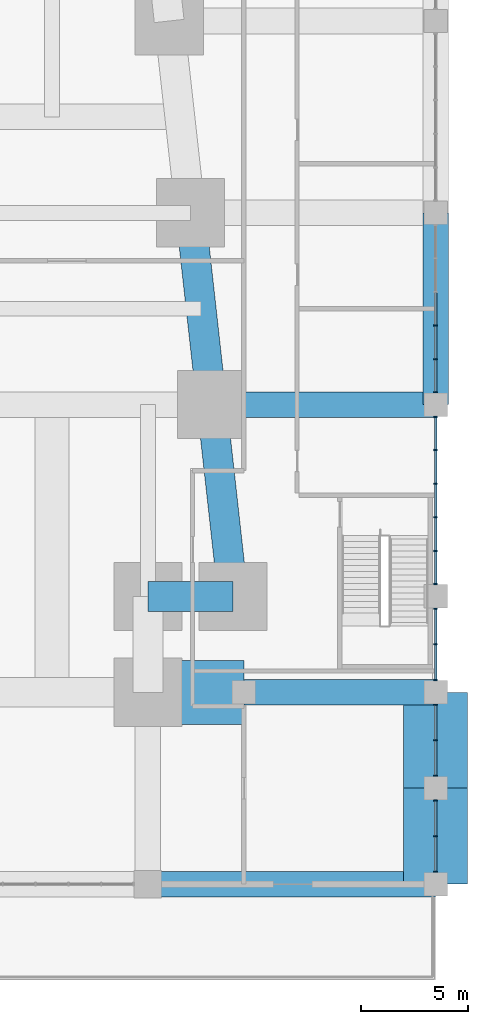
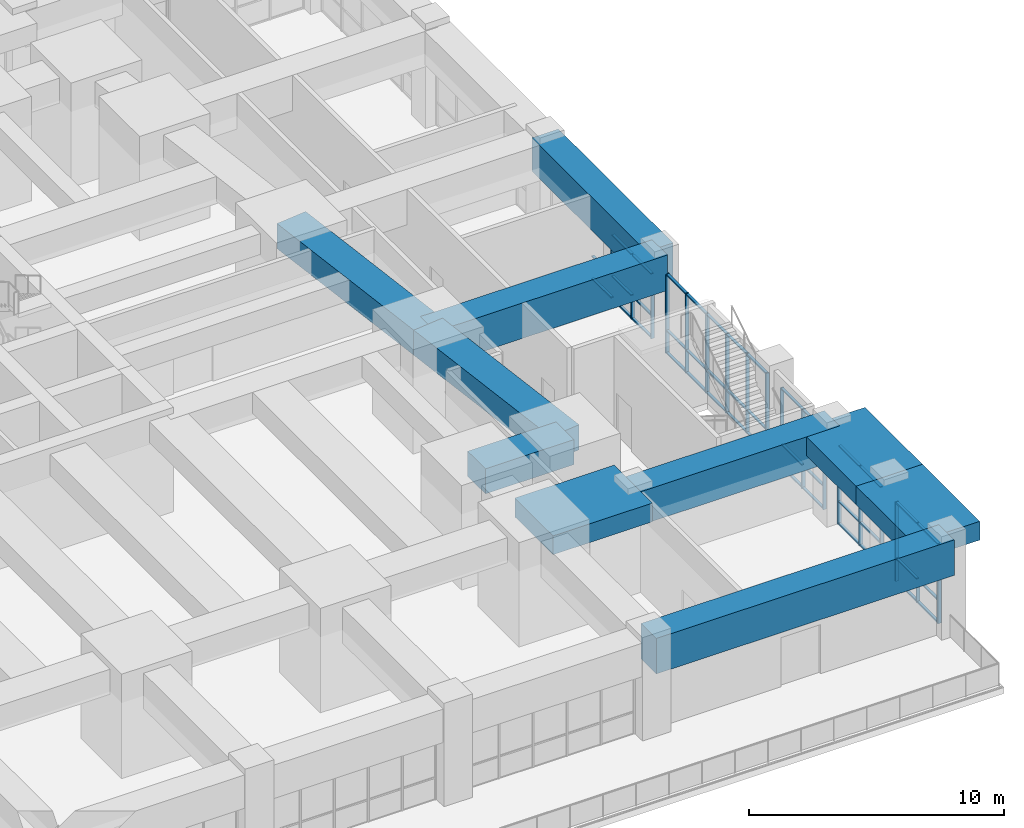
# One storey, part 14 of 27: 59 members, 10 beams, 5 elements without a shape of their own.
"""IFC4 building model written with IfcOpenShell, lengths in metres."""

from ifc_helpers import new_model, si_unit, direction, frame, origin, origin_2d, place, context, subcontext, project, spatial, rectangle, extrude, material, material_profile, profile_set, type_object, element, aggregate, save


model = new_model("IFC4")

# Units and contexts
model_context = context("Model", 3, precision=1e-05, world=origin(), true_north=direction((0.0, 1.0)))
body_context = subcontext(model_context, "Body", "Model", "MODEL_VIEW")
ifc_project = project(units=[si_unit("LENGTHUNIT", "METRE"), si_unit("AREAUNIT", "SQUARE_METRE"), si_unit("VOLUMEUNIT", "CUBIC_METRE"), si_unit("PLANEANGLEUNIT", "RADIAN"), si_unit("MASSUNIT", "GRAM", prefix="KILO")], contexts=[model_context])

# Site, building, storey
site_placement = place(None, origin())
site = spatial("IfcSite", under=ifc_project, at=site_placement, CompositionType="ELEMENT")
building_placement = place(site_placement, origin())
building = spatial("IfcBuilding", under=site, at=building_placement, Name="Kilele Tower Hotel", CompositionType="ELEMENT")
storey_placement = place(building_placement, frame((0.0, 0.0, 6.0)))
storey = spatial("IfcBuildingStorey", under=building, at=storey_placement, Name="L01", CompositionType="ELEMENT", Elevation=6.0)

# Beams
ifc_material_1 = material(Name="Concrete C60/75", Category="concrete")
ifc_material_profile_1 = material_profile(ifc_material_1, rectangle(XDim=1.199951171875, YDim=1.60009765625, at=origin_2d()))
ifc_profile_set_1 = profile_set([ifc_material_profile_1], Name="Concrete C60/75")
beam_type_1 = type_object("IfcBeamType", Name="Beam RC 1200x1600 C60/75", PredefinedType="BEAM", material=ifc_profile_set_1)
for number, where, z_axis, x_axis, name in (
    (1, (58.5, 13.5, 3.89990234375), (0.0, 1.0, 0.0), (-1.0, 0.0, 0.0), "Beam PB2 level L02"),
    (2, (49.5, 0.0, 3.89990234375), (1.0, 0.0, 0.0), (0.0, 1.0, 0.0), "Beam PB2 level L02"),
):
    element("IfcBeam", number, at=place(storey_placement, frame(where, z_axis=z_axis, x_axis=x_axis)), inside=storey, type_object=beam_type_1, Name=name, PredefinedType="BEAM", context=body_context, shape_type="SweptSolid", body=[
        extrude(rectangle(XDim=1.199951171875, YDim=1.60009765625, at=origin_2d()), origin(), (0.0, 0.0, 1.0), 9.0),
    ])
ifc_material_2 = material(Name="Concrete C60/75", Category="concrete")
ifc_material_profile_2 = material_profile(ifc_material_2, rectangle(XDim=1.199951171875, YDim=1.699951171875, at=origin_2d()))
ifc_profile_set_2 = profile_set([ifc_material_profile_2], Name="Concrete C60/75")
beam_type_2 = type_object("IfcBeamType", Name="Beam RC 1200x1700 C60/75", PredefinedType="BEAM", material=ifc_profile_set_2)
beam_1_placement = place(storey_placement, frame((45.0, -9.0, 3.85009765625), z_axis=(1.0, 0.0, 0.0), x_axis=(0.0, 1.0, 0.0)))
element("IfcBeam", 3, at=beam_1_placement, inside=storey, type_object=beam_type_2, Name="Beam PB3 level L02", PredefinedType="BEAM", context=body_context, shape_type="SweptSolid", body=[
    extrude(rectangle(XDim=1.199951171875, YDim=1.699951171875, at=origin_2d()), origin(), (0.0, 0.0, 1.0), 13.5),
])
ifc_material_3 = material(Name="Concrete C60/75", Category="concrete")
ifc_material_profile_3 = material_profile(ifc_material_3, rectangle(XDim=1.199951171875, YDim=1.699951171875, at=origin_2d()))
ifc_profile_set_3 = profile_set([ifc_material_profile_3], Name="Concrete C60/75")
beam_type_3 = type_object("IfcBeamType", Name="Beam RC 1200x1700 C60/75 mid span", PredefinedType="BEAM", material=ifc_profile_set_3)
beam_2_placement = place(storey_placement, frame((48.0, 13.5, 3.85009765625), z_axis=(1.0, 0.0, 0.0), x_axis=(0.0, 1.0, 0.0)))
element("IfcBeam", 4, at=beam_2_placement, inside=storey, type_object=beam_type_3, Name="Beam PB4 level L02", PredefinedType="BEAM", context=body_context, shape_type="SweptSolid", body=[
    extrude(rectangle(XDim=1.199951171875, YDim=1.699951171875, at=origin_2d()), origin(), (0.0, 0.0, 1.0), 10.5),
])
ifc_material_4 = material(Name="Concrete C60/75", Category="concrete")
ifc_material_profile_4 = material_profile(ifc_material_4, rectangle(XDim=3.0, YDim=0.89990234375, at=origin_2d()))
ifc_profile_set_4 = profile_set([ifc_material_profile_4], Name="Concrete C60/75")
beam_type_4 = type_object("IfcBeamType", Name="Beam RC 3000x900 C60/75", PredefinedType="BEAM", material=ifc_profile_set_4)
for number, where, z_axis, x_axis, name in (
    (5, (45.0, 0.0, 4.25), (1.0, 0.0, 0.0), (0.0, 1.0, 0.0), "Beam PB1 level L02"),
    (6, (58.5, -4.5, 4.25), (0.0, 1.0, 0.0), (-1.0, 0.0, 0.0), "Beam PB1 level L02"),
    (7, (58.5, -9.0, 4.25), (0.0, 1.0, 0.0), (-1.0, 0.0, 0.0), "Beam PB1 level L02"),
):
    element("IfcBeam", number, at=place(storey_placement, frame(where, z_axis=z_axis, x_axis=x_axis)), inside=storey, type_object=beam_type_4, Name=name, PredefinedType="BEAM", context=body_context, shape_type="SweptSolid", body=[
        extrude(rectangle(XDim=3.0, YDim=0.89990234375, at=origin_2d()), origin(), (0.0, 0.0, 1.0), 4.5),
    ])

# Curtain wall, members
ifc_material_5 = material(Name="Aluminium curtain wall, clear double glazing", Category="aluminium")
curtain_wall_type = type_object("IfcCurtainWallType", Name="Podium side curtain wall CW-2", PredefinedType="NOTDEFINED", material=ifc_material_5)
curtain_wall_1_placement = place(storey_placement, origin())
curtain_wall_1 = element("IfcCurtainWall", 8, at=curtain_wall_1_placement, inside=storey, type_object=curtain_wall_type, Name="Podium side curtain wall CW-2 L01", PredefinedType="NOTDEFINED")
ifc_material_6 = material(Name="Aluminium EN AW-6063 T6", Category="aluminium")
ifc_material_profile_5 = material_profile(ifc_material_6, rectangle(XDim=0.159912109375, YDim=0.06005859375, at=origin_2d()))
ifc_profile_set_5 = profile_set([ifc_material_profile_5], Name="Aluminium EN AW-6063 T6")
member_type_1 = type_object("IfcMemberType", Name="Mullion 60x160 CW-2", PredefinedType="MULLION", material=ifc_profile_set_5)
member_1_placement = place(storey_placement, frame((58.5, -8.419921875, 0.0), z_axis=(0.0, 0.0, 1.0), x_axis=(-1.0, 0.0, 0.0)))
member_1 = element("IfcMember", 9, at=member_1_placement, type_object=member_type_1, Name="CW-2 mullion 1", PredefinedType="MULLION", context=body_context, shape_type="SweptSolid", body=[
    extrude(rectangle(XDim=0.159912109375, YDim=0.06005859375, at=origin_2d()), origin(), (0.0, 0.0, 1.0), 3.800048828125),
])
member_2_placement = place(storey_placement, frame((58.5, -6.75, 0.0), z_axis=(0.0, 0.0, 1.0), x_axis=(-1.0, 0.0, 0.0)))
member_2 = element("IfcMember", 10, at=member_2_placement, type_object=member_type_1, Name="CW-2 mullion 2", PredefinedType="MULLION", context=body_context, shape_type="SweptSolid", body=[
    extrude(rectangle(XDim=0.159912109375, YDim=0.06005859375, at=origin_2d()), origin(), (0.0, 0.0, 1.0), 3.800048828125),
])
member_3_placement = place(storey_placement, frame((58.5, -5.080078125, 0.0), z_axis=(0.0, 0.0, 1.0), x_axis=(-1.0, 0.0, 0.0)))
member_3 = element("IfcMember", 11, at=member_3_placement, type_object=member_type_1, Name="CW-2 mullion 3", PredefinedType="MULLION", context=body_context, shape_type="SweptSolid", body=[
    extrude(rectangle(XDim=0.159912109375, YDim=0.06005859375, at=origin_2d()), origin(), (0.0, 0.0, 1.0), 3.800048828125),
])

curtain_wall_2_placement = place(storey_placement, origin())
curtain_wall_2 = element("IfcCurtainWall", 12, at=curtain_wall_2_placement, inside=storey, type_object=curtain_wall_type, Name="Podium side curtain wall CW-2 L01", PredefinedType="NOTDEFINED")
member_4_placement = place(storey_placement, frame((58.5, -3.919921875, 0.0), z_axis=(0.0, 0.0, 1.0), x_axis=(-1.0, 0.0, 0.0)))
member_4 = element("IfcMember", 13, at=member_4_placement, type_object=member_type_1, Name="CW-2 mullion 1", PredefinedType="MULLION", context=body_context, shape_type="SweptSolid", body=[
    extrude(rectangle(XDim=0.159912109375, YDim=0.06005859375, at=origin_2d()), origin(), (0.0, 0.0, 1.0), 3.800048828125),
])
member_5_placement = place(storey_placement, frame((58.5, -2.25, 0.0), z_axis=(0.0, 0.0, 1.0), x_axis=(-1.0, 0.0, 0.0)))
member_5 = element("IfcMember", 14, at=member_5_placement, type_object=member_type_1, Name="CW-2 mullion 2", PredefinedType="MULLION", context=body_context, shape_type="SweptSolid", body=[
    extrude(rectangle(XDim=0.159912109375, YDim=0.06005859375, at=origin_2d()), origin(), (0.0, 0.0, 1.0), 3.800048828125),
])
member_6_placement = place(storey_placement, frame((58.5, -0.580078125, 0.0), z_axis=(0.0, 0.0, 1.0), x_axis=(-1.0, 0.0, 0.0)))
member_6 = element("IfcMember", 15, at=member_6_placement, type_object=member_type_1, Name="CW-2 mullion 3", PredefinedType="MULLION", context=body_context, shape_type="SweptSolid", body=[
    extrude(rectangle(XDim=0.159912109375, YDim=0.06005859375, at=origin_2d()), origin(), (0.0, 0.0, 1.0), 3.800048828125),
])

curtain_wall_3_placement = place(storey_placement, origin())
curtain_wall_3 = element("IfcCurtainWall", 16, at=curtain_wall_3_placement, inside=storey, type_object=curtain_wall_type, Name="Podium side curtain wall CW-2 L01", PredefinedType="NOTDEFINED")
member_7_placement = place(storey_placement, frame((58.5, 0.580078125, 0.0), z_axis=(0.0, 0.0, 1.0), x_axis=(-1.0, 0.0, 0.0)))
member_7 = element("IfcMember", 17, at=member_7_placement, type_object=member_type_1, Name="CW-2 mullion 1", PredefinedType="MULLION", context=body_context, shape_type="SweptSolid", body=[
    extrude(rectangle(XDim=0.159912109375, YDim=0.06005859375, at=origin_2d()), origin(), (0.0, 0.0, 1.0), 3.800048828125),
])
member_8_placement = place(storey_placement, frame((58.5, 2.25, 0.0), z_axis=(0.0, 0.0, 1.0), x_axis=(-1.0, 0.0, 0.0)))
member_8 = element("IfcMember", 18, at=member_8_placement, type_object=member_type_1, Name="CW-2 mullion 2", PredefinedType="MULLION", context=body_context, shape_type="SweptSolid", body=[
    extrude(rectangle(XDim=0.159912109375, YDim=0.06005859375, at=origin_2d()), origin(), (0.0, 0.0, 1.0), 3.800048828125),
])
member_9_placement = place(storey_placement, frame((58.5, 3.919921875, 0.0), z_axis=(0.0, 0.0, 1.0), x_axis=(-1.0, 0.0, 0.0)))
member_9 = element("IfcMember", 19, at=member_9_placement, type_object=member_type_1, Name="CW-2 mullion 3", PredefinedType="MULLION", context=body_context, shape_type="SweptSolid", body=[
    extrude(rectangle(XDim=0.159912109375, YDim=0.06005859375, at=origin_2d()), origin(), (0.0, 0.0, 1.0), 3.800048828125),
])

curtain_wall_4_placement = place(storey_placement, origin())
curtain_wall_4 = element("IfcCurtainWall", 20, at=curtain_wall_4_placement, inside=storey, type_object=curtain_wall_type, Name="Podium side curtain wall CW-2 L01", PredefinedType="NOTDEFINED")
member_10_placement = place(storey_placement, frame((58.5, 5.080078125, 0.0), z_axis=(0.0, 0.0, 1.0), x_axis=(-1.0, 0.0, 0.0)))
member_10 = element("IfcMember", 21, at=member_10_placement, type_object=member_type_1, Name="CW-2 mullion 1", PredefinedType="MULLION", context=body_context, shape_type="SweptSolid", body=[
    extrude(rectangle(XDim=0.159912109375, YDim=0.06005859375, at=origin_2d()), origin(), (0.0, 0.0, 1.0), 3.800048828125),
])
member_11_placement = place(storey_placement, frame((58.5, 6.6298828125, 0.0), z_axis=(0.0, 0.0, 1.0), x_axis=(-1.0, 0.0, 0.0)))
member_11 = element("IfcMember", 22, at=member_11_placement, type_object=member_type_1, Name="CW-2 mullion 2", PredefinedType="MULLION", context=body_context, shape_type="SweptSolid", body=[
    extrude(rectangle(XDim=0.159912109375, YDim=0.06005859375, at=origin_2d()), origin(), (0.0, 0.0, 1.0), 3.800048828125),
])
member_12_placement = place(storey_placement, frame((58.5, 8.2099609375, 0.0), z_axis=(0.0, 0.0, 1.0), x_axis=(-1.0, 0.0, 0.0)))
member_12 = element("IfcMember", 23, at=member_12_placement, type_object=member_type_1, Name="CW-2 mullion 3", PredefinedType="MULLION", context=body_context, shape_type="SweptSolid", body=[
    extrude(rectangle(XDim=0.159912109375, YDim=0.06005859375, at=origin_2d()), origin(), (0.0, 0.0, 1.0), 3.800048828125),
])
member_13_placement = place(storey_placement, frame((58.5, 9.7900390625, 0.0), z_axis=(0.0, 0.0, 1.0), x_axis=(-1.0, 0.0, 0.0)))
member_13 = element("IfcMember", 24, at=member_13_placement, type_object=member_type_1, Name="CW-2 mullion 4", PredefinedType="MULLION", context=body_context, shape_type="SweptSolid", body=[
    extrude(rectangle(XDim=0.159912109375, YDim=0.06005859375, at=origin_2d()), origin(), (0.0, 0.0, 1.0), 3.800048828125),
])
member_14_placement = place(storey_placement, frame((58.5, 11.3701171875, 0.0), z_axis=(0.0, 0.0, 1.0), x_axis=(-1.0, 0.0, 0.0)))
member_14 = element("IfcMember", 25, at=member_14_placement, type_object=member_type_1, Name="CW-2 mullion 5", PredefinedType="MULLION", context=body_context, shape_type="SweptSolid", body=[
    extrude(rectangle(XDim=0.159912109375, YDim=0.06005859375, at=origin_2d()), origin(), (0.0, 0.0, 1.0), 3.800048828125),
])
member_15_placement = place(storey_placement, frame((58.5, 12.919921875, 0.0), z_axis=(0.0, 0.0, 1.0), x_axis=(-1.0, 0.0, 0.0)))
member_15 = element("IfcMember", 26, at=member_15_placement, type_object=member_type_1, Name="CW-2 mullion 6", PredefinedType="MULLION", context=body_context, shape_type="SweptSolid", body=[
    extrude(rectangle(XDim=0.159912109375, YDim=0.06005859375, at=origin_2d()), origin(), (0.0, 0.0, 1.0), 3.800048828125),
])

curtain_wall_5_placement = place(storey_placement, origin())
curtain_wall_5 = element("IfcCurtainWall", 27, at=curtain_wall_5_placement, inside=storey, type_object=curtain_wall_type, Name="Podium side curtain wall CW-2 L01", PredefinedType="NOTDEFINED")
member_16_placement = place(storey_placement, frame((58.5, 14.080078125, 0.0), z_axis=(0.0, 0.0, 1.0), x_axis=(-1.0, 0.0, 0.0)))
member_16 = element("IfcMember", 28, at=member_16_placement, type_object=member_type_1, Name="CW-2 mullion 1", PredefinedType="MULLION", context=body_context, shape_type="SweptSolid", body=[
    extrude(rectangle(XDim=0.159912109375, YDim=0.06005859375, at=origin_2d()), origin(), (0.0, 0.0, 1.0), 3.10009765625),
])
member_17_placement = place(storey_placement, frame((58.5, 15.6298828125, 0.0), z_axis=(0.0, 0.0, 1.0), x_axis=(-1.0, 0.0, 0.0)))
member_17 = element("IfcMember", 29, at=member_17_placement, type_object=member_type_1, Name="CW-2 mullion 2", PredefinedType="MULLION", context=body_context, shape_type="SweptSolid", body=[
    extrude(rectangle(XDim=0.159912109375, YDim=0.06005859375, at=origin_2d()), origin(), (0.0, 0.0, 1.0), 3.10009765625),
])
member_18_placement = place(storey_placement, frame((58.5, 17.2099609375, 0.0), z_axis=(0.0, 0.0, 1.0), x_axis=(-1.0, 0.0, 0.0)))
member_18 = element("IfcMember", 30, at=member_18_placement, type_object=member_type_1, Name="CW-2 mullion 3", PredefinedType="MULLION", context=body_context, shape_type="SweptSolid", body=[
    extrude(rectangle(XDim=0.159912109375, YDim=0.06005859375, at=origin_2d()), origin(), (0.0, 0.0, 1.0), 3.10009765625),
])

# Beams
ifc_material_7 = material(Name="Concrete C60/75", Category="concrete")
ifc_material_profile_6 = material_profile(ifc_material_7, rectangle(XDim=1.39990234375, YDim=1.199951171875, at=origin_2d()))
ifc_profile_set_6 = profile_set([ifc_material_profile_6], Name="Concrete C60/75")
beam_type_5 = type_object("IfcBeamType", Name="Spandrel RC 1400x1200 C60/75", PredefinedType="SPANDREL", material=ifc_profile_set_6)
beam_3_placement = place(storey_placement, frame((45.0, 4.5, 4.10009765625), z_axis=(1.0, 0.0, 0.0), x_axis=(0.0, 1.0, 0.0)))
element("IfcBeam", 31, at=beam_3_placement, inside=storey, type_object=beam_type_5, Name="Spandrel SP10 level L02", PredefinedType="SPANDREL", context=body_context, shape_type="SweptSolid", body=[
    extrude(rectangle(XDim=1.39990234375, YDim=1.199951171875, at=origin_2d()), origin(), (0.0, 0.0, 1.0), 4.0),
])
for number, where, z_axis, x_axis, name in (
    (32, (49.0, 4.5, 4.10009765625), (-0.110431526075, 0.993883734674, 0.0), (-0.993883734674, -0.110431526075, 0.0), "Spandrel SP10 level L02"),
    (33, (48.0, 13.5, 4.10009765625), (-0.110431526075, 0.993883734674, 0.0), (-0.993883734674, -0.110431526075, 0.0), "Spandrel SP10 level L02"),
):
    element("IfcBeam", number, at=place(storey_placement, frame(where, z_axis=z_axis, x_axis=x_axis)), inside=storey, type_object=beam_type_5, Name=name, PredefinedType="SPANDREL", context=body_context, shape_type="SweptSolid", body=[
        extrude(rectangle(XDim=1.39990234375, YDim=1.199951171875, at=origin_2d()), origin(), (0.0, 0.0, 1.0), 9.055419921875),
    ])

# Member
ifc_material_8 = material(Name="Aluminium EN AW-6063 T6", Category="aluminium")
ifc_material_profile_7 = material_profile(ifc_material_8, rectangle(XDim=0.1201171875, YDim=0.06005859375, at=origin_2d()))
ifc_profile_set_7 = profile_set([ifc_material_profile_7], Name="Aluminium EN AW-6063 T6")
member_type_2 = type_object("IfcMemberType", Name="Transom 60x120 CW-2", PredefinedType="USERDEFINED", material=ifc_profile_set_7)
member_19_placement = place(storey_placement, frame((58.5, -8.389892578125, 0.030029296875), z_axis=(0.0, 1.0, 0.0), x_axis=(-1.0, 0.0, 0.0)))
member_19 = element("IfcMember", 34, at=member_19_placement, type_object=member_type_2, Name="CW-2 transom 1.1", ObjectType="TRANSOM", PredefinedType="USERDEFINED", context=body_context, shape_type="SweptSolid", body=[
    extrude(rectangle(XDim=0.1201171875, YDim=0.06005859375, at=origin_2d()), origin(), (0.0, 0.0, 1.0), 1.60986328125),
])

member_20_placement = place(storey_placement, frame((58.5, -8.389892578125, 1.10009765625), z_axis=(0.0, 1.0, 0.0), x_axis=(-1.0, 0.0, 0.0)))
member_20 = element("IfcMember", 35, at=member_20_placement, type_object=member_type_2, Name="CW-2 transom 1.2", ObjectType="TRANSOM", PredefinedType="USERDEFINED", context=body_context, shape_type="SweptSolid", body=[
    extrude(rectangle(XDim=0.1201171875, YDim=0.06005859375, at=origin_2d()), origin(), (0.0, 0.0, 1.0), 1.60986328125),
])

member_21_placement = place(storey_placement, frame((58.5, -8.389892578125, 3.77001953125), z_axis=(0.0, 1.0, 0.0), x_axis=(-1.0, 0.0, 0.0)))
member_21 = element("IfcMember", 36, at=member_21_placement, type_object=member_type_2, Name="CW-2 transom 1.3", ObjectType="TRANSOM", PredefinedType="USERDEFINED", context=body_context, shape_type="SweptSolid", body=[
    extrude(rectangle(XDim=0.1201171875, YDim=0.06005859375, at=origin_2d()), origin(), (0.0, 0.0, 1.0), 1.60986328125),
])

member_22_placement = place(storey_placement, frame((58.5, -6.719970703125, 0.030029296875), z_axis=(0.0, 1.0, 0.0), x_axis=(-1.0, 0.0, 0.0)))
member_22 = element("IfcMember", 37, at=member_22_placement, type_object=member_type_2, Name="CW-2 transom 2.1", ObjectType="TRANSOM", PredefinedType="USERDEFINED", context=body_context, shape_type="SweptSolid", body=[
    extrude(rectangle(XDim=0.1201171875, YDim=0.06005859375, at=origin_2d()), origin(), (0.0, 0.0, 1.0), 1.60986328125),
])

member_23_placement = place(storey_placement, frame((58.5, -6.719970703125, 1.10009765625), z_axis=(0.0, 1.0, 0.0), x_axis=(-1.0, 0.0, 0.0)))
member_23 = element("IfcMember", 38, at=member_23_placement, type_object=member_type_2, Name="CW-2 transom 2.2", ObjectType="TRANSOM", PredefinedType="USERDEFINED", context=body_context, shape_type="SweptSolid", body=[
    extrude(rectangle(XDim=0.1201171875, YDim=0.06005859375, at=origin_2d()), origin(), (0.0, 0.0, 1.0), 1.60986328125),
])

member_24_placement = place(storey_placement, frame((58.5, -6.719970703125, 3.77001953125), z_axis=(0.0, 1.0, 0.0), x_axis=(-1.0, 0.0, 0.0)))
member_24 = element("IfcMember", 39, at=member_24_placement, type_object=member_type_2, Name="CW-2 transom 2.3", ObjectType="TRANSOM", PredefinedType="USERDEFINED", context=body_context, shape_type="SweptSolid", body=[
    extrude(rectangle(XDim=0.1201171875, YDim=0.06005859375, at=origin_2d()), origin(), (0.0, 0.0, 1.0), 1.60986328125),
])

aggregate(curtain_wall_1, [member_1, member_2, member_3, member_19, member_20, member_21, member_22, member_23, member_24])

member_25_placement = place(storey_placement, frame((58.5, -3.889892578125, 0.030029296875), z_axis=(0.0, 1.0, 0.0), x_axis=(-1.0, 0.0, 0.0)))
member_25 = element("IfcMember", 40, at=member_25_placement, type_object=member_type_2, Name="CW-2 transom 1.1", ObjectType="TRANSOM", PredefinedType="USERDEFINED", context=body_context, shape_type="SweptSolid", body=[
    extrude(rectangle(XDim=0.1201171875, YDim=0.06005859375, at=origin_2d()), origin(), (0.0, 0.0, 1.0), 1.60986328125),
])

member_26_placement = place(storey_placement, frame((58.5, -3.889892578125, 1.10009765625), z_axis=(0.0, 1.0, 0.0), x_axis=(-1.0, 0.0, 0.0)))
member_26 = element("IfcMember", 41, at=member_26_placement, type_object=member_type_2, Name="CW-2 transom 1.2", ObjectType="TRANSOM", PredefinedType="USERDEFINED", context=body_context, shape_type="SweptSolid", body=[
    extrude(rectangle(XDim=0.1201171875, YDim=0.06005859375, at=origin_2d()), origin(), (0.0, 0.0, 1.0), 1.60986328125),
])

member_27_placement = place(storey_placement, frame((58.5, -3.889892578125, 3.77001953125), z_axis=(0.0, 1.0, 0.0), x_axis=(-1.0, 0.0, 0.0)))
member_27 = element("IfcMember", 42, at=member_27_placement, type_object=member_type_2, Name="CW-2 transom 1.3", ObjectType="TRANSOM", PredefinedType="USERDEFINED", context=body_context, shape_type="SweptSolid", body=[
    extrude(rectangle(XDim=0.1201171875, YDim=0.06005859375, at=origin_2d()), origin(), (0.0, 0.0, 1.0), 1.60986328125),
])

member_28_placement = place(storey_placement, frame((58.5, -2.219970703125, 0.030029296875), z_axis=(0.0, 1.0, 0.0), x_axis=(-1.0, 0.0, 0.0)))
member_28 = element("IfcMember", 43, at=member_28_placement, type_object=member_type_2, Name="CW-2 transom 2.1", ObjectType="TRANSOM", PredefinedType="USERDEFINED", context=body_context, shape_type="SweptSolid", body=[
    extrude(rectangle(XDim=0.1201171875, YDim=0.06005859375, at=origin_2d()), origin(), (0.0, 0.0, 1.0), 1.60986328125),
])

member_29_placement = place(storey_placement, frame((58.5, -2.219970703125, 1.10009765625), z_axis=(0.0, 1.0, 0.0), x_axis=(-1.0, 0.0, 0.0)))
member_29 = element("IfcMember", 44, at=member_29_placement, type_object=member_type_2, Name="CW-2 transom 2.2", ObjectType="TRANSOM", PredefinedType="USERDEFINED", context=body_context, shape_type="SweptSolid", body=[
    extrude(rectangle(XDim=0.1201171875, YDim=0.06005859375, at=origin_2d()), origin(), (0.0, 0.0, 1.0), 1.60986328125),
])

member_30_placement = place(storey_placement, frame((58.5, -2.219970703125, 3.77001953125), z_axis=(0.0, 1.0, 0.0), x_axis=(-1.0, 0.0, 0.0)))
member_30 = element("IfcMember", 45, at=member_30_placement, type_object=member_type_2, Name="CW-2 transom 2.3", ObjectType="TRANSOM", PredefinedType="USERDEFINED", context=body_context, shape_type="SweptSolid", body=[
    extrude(rectangle(XDim=0.1201171875, YDim=0.06005859375, at=origin_2d()), origin(), (0.0, 0.0, 1.0), 1.60986328125),
])

aggregate(curtain_wall_2, [member_4, member_5, member_6, member_25, member_26, member_27, member_28, member_29, member_30])

member_31_placement = place(storey_placement, frame((58.5, 0.610107421875, 0.030029296875), z_axis=(0.0, 1.0, 0.0), x_axis=(-1.0, 0.0, 0.0)))
member_31 = element("IfcMember", 46, at=member_31_placement, type_object=member_type_2, Name="CW-2 transom 1.1", ObjectType="TRANSOM", PredefinedType="USERDEFINED", context=body_context, shape_type="SweptSolid", body=[
    extrude(rectangle(XDim=0.1201171875, YDim=0.06005859375, at=origin_2d()), origin(), (0.0, 0.0, 1.0), 1.60986328125),
])

member_32_placement = place(storey_placement, frame((58.5, 0.610107421875, 1.10009765625), z_axis=(0.0, 1.0, 0.0), x_axis=(-1.0, 0.0, 0.0)))
member_32 = element("IfcMember", 47, at=member_32_placement, type_object=member_type_2, Name="CW-2 transom 1.2", ObjectType="TRANSOM", PredefinedType="USERDEFINED", context=body_context, shape_type="SweptSolid", body=[
    extrude(rectangle(XDim=0.1201171875, YDim=0.06005859375, at=origin_2d()), origin(), (0.0, 0.0, 1.0), 1.60986328125),
])

member_33_placement = place(storey_placement, frame((58.5, 0.610107421875, 3.77001953125), z_axis=(0.0, 1.0, 0.0), x_axis=(-1.0, 0.0, 0.0)))
member_33 = element("IfcMember", 48, at=member_33_placement, type_object=member_type_2, Name="CW-2 transom 1.3", ObjectType="TRANSOM", PredefinedType="USERDEFINED", context=body_context, shape_type="SweptSolid", body=[
    extrude(rectangle(XDim=0.1201171875, YDim=0.06005859375, at=origin_2d()), origin(), (0.0, 0.0, 1.0), 1.60986328125),
])

member_34_placement = place(storey_placement, frame((58.5, 2.280029296875, 0.030029296875), z_axis=(0.0, 1.0, 0.0), x_axis=(-1.0, 0.0, 0.0)))
member_34 = element("IfcMember", 49, at=member_34_placement, type_object=member_type_2, Name="CW-2 transom 2.1", ObjectType="TRANSOM", PredefinedType="USERDEFINED", context=body_context, shape_type="SweptSolid", body=[
    extrude(rectangle(XDim=0.1201171875, YDim=0.06005859375, at=origin_2d()), origin(), (0.0, 0.0, 1.0), 1.60986328125),
])

member_35_placement = place(storey_placement, frame((58.5, 2.280029296875, 1.10009765625), z_axis=(0.0, 1.0, 0.0), x_axis=(-1.0, 0.0, 0.0)))
member_35 = element("IfcMember", 50, at=member_35_placement, type_object=member_type_2, Name="CW-2 transom 2.2", ObjectType="TRANSOM", PredefinedType="USERDEFINED", context=body_context, shape_type="SweptSolid", body=[
    extrude(rectangle(XDim=0.1201171875, YDim=0.06005859375, at=origin_2d()), origin(), (0.0, 0.0, 1.0), 1.60986328125),
])

member_36_placement = place(storey_placement, frame((58.5, 2.280029296875, 3.77001953125), z_axis=(0.0, 1.0, 0.0), x_axis=(-1.0, 0.0, 0.0)))
member_36 = element("IfcMember", 51, at=member_36_placement, type_object=member_type_2, Name="CW-2 transom 2.3", ObjectType="TRANSOM", PredefinedType="USERDEFINED", context=body_context, shape_type="SweptSolid", body=[
    extrude(rectangle(XDim=0.1201171875, YDim=0.06005859375, at=origin_2d()), origin(), (0.0, 0.0, 1.0), 1.60986328125),
])

aggregate(curtain_wall_3, [member_7, member_8, member_9, member_31, member_32, member_33, member_34, member_35, member_36])

member_37_placement = place(storey_placement, frame((58.5, 5.110107421875, 0.030029296875), z_axis=(0.0, 1.0, 0.0), x_axis=(-1.0, 0.0, 0.0)))
member_37 = element("IfcMember", 52, at=member_37_placement, type_object=member_type_2, Name="CW-2 transom 1.1", ObjectType="TRANSOM", PredefinedType="USERDEFINED", context=body_context, shape_type="SweptSolid", body=[
    extrude(rectangle(XDim=0.1201171875, YDim=0.06005859375, at=origin_2d()), origin(), (0.0, 0.0, 1.0), 1.489990234375),
])

member_38_placement = place(storey_placement, frame((58.5, 5.110107421875, 1.10009765625), z_axis=(0.0, 1.0, 0.0), x_axis=(-1.0, 0.0, 0.0)))
member_38 = element("IfcMember", 53, at=member_38_placement, type_object=member_type_2, Name="CW-2 transom 1.2", ObjectType="TRANSOM", PredefinedType="USERDEFINED", context=body_context, shape_type="SweptSolid", body=[
    extrude(rectangle(XDim=0.1201171875, YDim=0.06005859375, at=origin_2d()), origin(), (0.0, 0.0, 1.0), 1.489990234375),
])

member_39_placement = place(storey_placement, frame((58.5, 5.110107421875, 3.77001953125), z_axis=(0.0, 1.0, 0.0), x_axis=(-1.0, 0.0, 0.0)))
member_39 = element("IfcMember", 54, at=member_39_placement, type_object=member_type_2, Name="CW-2 transom 1.3", ObjectType="TRANSOM", PredefinedType="USERDEFINED", context=body_context, shape_type="SweptSolid", body=[
    extrude(rectangle(XDim=0.1201171875, YDim=0.06005859375, at=origin_2d()), origin(), (0.0, 0.0, 1.0), 1.489990234375),
])

member_40_placement = place(storey_placement, frame((58.5, 6.659912109375, 0.030029296875), z_axis=(0.0, 1.0, 0.0), x_axis=(-1.0, 0.0, 0.0)))
member_40 = element("IfcMember", 55, at=member_40_placement, type_object=member_type_2, Name="CW-2 transom 2.1", ObjectType="TRANSOM", PredefinedType="USERDEFINED", context=body_context, shape_type="SweptSolid", body=[
    extrude(rectangle(XDim=0.1201171875, YDim=0.06005859375, at=origin_2d()), origin(), (0.0, 0.0, 1.0), 1.52001953125),
])

member_41_placement = place(storey_placement, frame((58.5, 6.659912109375, 1.10009765625), z_axis=(0.0, 1.0, 0.0), x_axis=(-1.0, 0.0, 0.0)))
member_41 = element("IfcMember", 56, at=member_41_placement, type_object=member_type_2, Name="CW-2 transom 2.2", ObjectType="TRANSOM", PredefinedType="USERDEFINED", context=body_context, shape_type="SweptSolid", body=[
    extrude(rectangle(XDim=0.1201171875, YDim=0.06005859375, at=origin_2d()), origin(), (0.0, 0.0, 1.0), 1.52001953125),
])

member_42_placement = place(storey_placement, frame((58.5, 6.659912109375, 3.77001953125), z_axis=(0.0, 1.0, 0.0), x_axis=(-1.0, 0.0, 0.0)))
member_42 = element("IfcMember", 57, at=member_42_placement, type_object=member_type_2, Name="CW-2 transom 2.3", ObjectType="TRANSOM", PredefinedType="USERDEFINED", context=body_context, shape_type="SweptSolid", body=[
    extrude(rectangle(XDim=0.1201171875, YDim=0.06005859375, at=origin_2d()), origin(), (0.0, 0.0, 1.0), 1.52001953125),
])

member_43_placement = place(storey_placement, frame((58.5, 8.239990234375, 0.030029296875), z_axis=(0.0, 1.0, 0.0), x_axis=(-1.0, 0.0, 0.0)))
member_43 = element("IfcMember", 58, at=member_43_placement, type_object=member_type_2, Name="CW-2 transom 3.1", ObjectType="TRANSOM", PredefinedType="USERDEFINED", context=body_context, shape_type="SweptSolid", body=[
    extrude(rectangle(XDim=0.1201171875, YDim=0.06005859375, at=origin_2d()), origin(), (0.0, 0.0, 1.0), 1.52001953125),
])

member_44_placement = place(storey_placement, frame((58.5, 8.239990234375, 1.10009765625), z_axis=(0.0, 1.0, 0.0), x_axis=(-1.0, 0.0, 0.0)))
member_44 = element("IfcMember", 59, at=member_44_placement, type_object=member_type_2, Name="CW-2 transom 3.2", ObjectType="TRANSOM", PredefinedType="USERDEFINED", context=body_context, shape_type="SweptSolid", body=[
    extrude(rectangle(XDim=0.1201171875, YDim=0.06005859375, at=origin_2d()), origin(), (0.0, 0.0, 1.0), 1.52001953125),
])

member_45_placement = place(storey_placement, frame((58.5, 8.239990234375, 3.77001953125), z_axis=(0.0, 1.0, 0.0), x_axis=(-1.0, 0.0, 0.0)))
member_45 = element("IfcMember", 60, at=member_45_placement, type_object=member_type_2, Name="CW-2 transom 3.3", ObjectType="TRANSOM", PredefinedType="USERDEFINED", context=body_context, shape_type="SweptSolid", body=[
    extrude(rectangle(XDim=0.1201171875, YDim=0.06005859375, at=origin_2d()), origin(), (0.0, 0.0, 1.0), 1.52001953125),
])

member_46_placement = place(storey_placement, frame((58.5, 9.820068359375, 0.030029296875), z_axis=(0.0, 1.0, 0.0), x_axis=(-1.0, 0.0, 0.0)))
member_46 = element("IfcMember", 61, at=member_46_placement, type_object=member_type_2, Name="CW-2 transom 4.1", ObjectType="TRANSOM", PredefinedType="USERDEFINED", context=body_context, shape_type="SweptSolid", body=[
    extrude(rectangle(XDim=0.1201171875, YDim=0.06005859375, at=origin_2d()), origin(), (0.0, 0.0, 1.0), 1.52001953125),
])

member_47_placement = place(storey_placement, frame((58.5, 9.820068359375, 1.10009765625), z_axis=(0.0, 1.0, 0.0), x_axis=(-1.0, 0.0, 0.0)))
member_47 = element("IfcMember", 62, at=member_47_placement, type_object=member_type_2, Name="CW-2 transom 4.2", ObjectType="TRANSOM", PredefinedType="USERDEFINED", context=body_context, shape_type="SweptSolid", body=[
    extrude(rectangle(XDim=0.1201171875, YDim=0.06005859375, at=origin_2d()), origin(), (0.0, 0.0, 1.0), 1.52001953125),
])

member_48_placement = place(storey_placement, frame((58.5, 9.820068359375, 3.77001953125), z_axis=(0.0, 1.0, 0.0), x_axis=(-1.0, 0.0, 0.0)))
member_48 = element("IfcMember", 63, at=member_48_placement, type_object=member_type_2, Name="CW-2 transom 4.3", ObjectType="TRANSOM", PredefinedType="USERDEFINED", context=body_context, shape_type="SweptSolid", body=[
    extrude(rectangle(XDim=0.1201171875, YDim=0.06005859375, at=origin_2d()), origin(), (0.0, 0.0, 1.0), 1.52001953125),
])

member_49_placement = place(storey_placement, frame((58.5, 11.39990234375, 0.030029296875), z_axis=(0.0, 1.0, 0.0), x_axis=(-1.0, 0.0, 0.0)))
member_49 = element("IfcMember", 64, at=member_49_placement, type_object=member_type_2, Name="CW-2 transom 5.1", ObjectType="TRANSOM", PredefinedType="USERDEFINED", context=body_context, shape_type="SweptSolid", body=[
    extrude(rectangle(XDim=0.1201171875, YDim=0.06005859375, at=origin_2d()), origin(), (0.0, 0.0, 1.0), 1.489990234375),
])

member_50_placement = place(storey_placement, frame((58.5, 11.39990234375, 1.10009765625), z_axis=(0.0, 1.0, 0.0), x_axis=(-1.0, 0.0, 0.0)))
member_50 = element("IfcMember", 65, at=member_50_placement, type_object=member_type_2, Name="CW-2 transom 5.2", ObjectType="TRANSOM", PredefinedType="USERDEFINED", context=body_context, shape_type="SweptSolid", body=[
    extrude(rectangle(XDim=0.1201171875, YDim=0.06005859375, at=origin_2d()), origin(), (0.0, 0.0, 1.0), 1.489990234375),
])

member_51_placement = place(storey_placement, frame((58.5, 11.39990234375, 3.77001953125), z_axis=(0.0, 1.0, 0.0), x_axis=(-1.0, 0.0, 0.0)))
member_51 = element("IfcMember", 66, at=member_51_placement, type_object=member_type_2, Name="CW-2 transom 5.3", ObjectType="TRANSOM", PredefinedType="USERDEFINED", context=body_context, shape_type="SweptSolid", body=[
    extrude(rectangle(XDim=0.1201171875, YDim=0.06005859375, at=origin_2d()), origin(), (0.0, 0.0, 1.0), 1.489990234375),
])

aggregate(curtain_wall_4, [member_10, member_11, member_12, member_13, member_14, member_15, member_37, member_38, member_39, member_40, member_41, member_42, member_43, member_44, member_45, member_46, member_47, member_48, member_49, member_50, member_51])

member_52_placement = place(storey_placement, frame((58.5, 14.110107421875, 0.030029296875), z_axis=(0.0, 1.0, 0.0), x_axis=(-1.0, 0.0, 0.0)))
member_52 = element("IfcMember", 67, at=member_52_placement, type_object=member_type_2, Name="CW-2 transom 1.1", ObjectType="TRANSOM", PredefinedType="USERDEFINED", context=body_context, shape_type="SweptSolid", body=[
    extrude(rectangle(XDim=0.1201171875, YDim=0.06005859375, at=origin_2d()), origin(), (0.0, 0.0, 1.0), 1.489990234375),
])

member_53_placement = place(storey_placement, frame((58.5, 14.110107421875, 1.10009765625), z_axis=(0.0, 1.0, 0.0), x_axis=(-1.0, 0.0, 0.0)))
member_53 = element("IfcMember", 68, at=member_53_placement, type_object=member_type_2, Name="CW-2 transom 1.2", ObjectType="TRANSOM", PredefinedType="USERDEFINED", context=body_context, shape_type="SweptSolid", body=[
    extrude(rectangle(XDim=0.1201171875, YDim=0.06005859375, at=origin_2d()), origin(), (0.0, 0.0, 1.0), 1.489990234375),
])

member_54_placement = place(storey_placement, frame((58.5, 14.110107421875, 3.070068359375), z_axis=(0.0, 1.0, 0.0), x_axis=(-1.0, 0.0, 0.0)))
member_54 = element("IfcMember", 69, at=member_54_placement, type_object=member_type_2, Name="CW-2 transom 1.3", ObjectType="TRANSOM", PredefinedType="USERDEFINED", context=body_context, shape_type="SweptSolid", body=[
    extrude(rectangle(XDim=0.1201171875, YDim=0.06005859375, at=origin_2d()), origin(), (0.0, 0.0, 1.0), 1.489990234375),
])

member_55_placement = place(storey_placement, frame((58.5, 15.659912109375, 0.030029296875), z_axis=(0.0, 1.0, 0.0), x_axis=(-1.0, 0.0, 0.0)))
member_55 = element("IfcMember", 70, at=member_55_placement, type_object=member_type_2, Name="CW-2 transom 2.1", ObjectType="TRANSOM", PredefinedType="USERDEFINED", context=body_context, shape_type="SweptSolid", body=[
    extrude(rectangle(XDim=0.1201171875, YDim=0.06005859375, at=origin_2d()), origin(), (0.0, 0.0, 1.0), 1.52001953125),
])

member_56_placement = place(storey_placement, frame((58.5, 15.659912109375, 1.10009765625), z_axis=(0.0, 1.0, 0.0), x_axis=(-1.0, 0.0, 0.0)))
member_56 = element("IfcMember", 71, at=member_56_placement, type_object=member_type_2, Name="CW-2 transom 2.2", ObjectType="TRANSOM", PredefinedType="USERDEFINED", context=body_context, shape_type="SweptSolid", body=[
    extrude(rectangle(XDim=0.1201171875, YDim=0.06005859375, at=origin_2d()), origin(), (0.0, 0.0, 1.0), 1.52001953125),
])

member_57_placement = place(storey_placement, frame((58.5, 15.659912109375, 3.070068359375), z_axis=(0.0, 1.0, 0.0), x_axis=(-1.0, 0.0, 0.0)))
member_57 = element("IfcMember", 72, at=member_57_placement, type_object=member_type_2, Name="CW-2 transom 2.3", ObjectType="TRANSOM", PredefinedType="USERDEFINED", context=body_context, shape_type="SweptSolid", body=[
    extrude(rectangle(XDim=0.1201171875, YDim=0.06005859375, at=origin_2d()), origin(), (0.0, 0.0, 1.0), 1.52001953125),
])

member_58_placement = place(storey_placement, frame((58.5, 17.239990234375, 0.030029296875), z_axis=(0.0, 1.0, 0.0), x_axis=(-1.0, 0.0, 0.0)))
member_58 = element("IfcMember", 73, at=member_58_placement, type_object=member_type_2, Name="CW-2 transom 3.1", ObjectType="TRANSOM", PredefinedType="USERDEFINED", context=body_context, shape_type="SweptSolid", body=[
    extrude(rectangle(XDim=0.1201171875, YDim=0.06005859375, at=origin_2d()), origin(), (0.0, 0.0, 1.0), 1.52001953125),
])

member_59_placement = place(storey_placement, frame((58.5, 17.239990234375, 1.10009765625), z_axis=(0.0, 1.0, 0.0), x_axis=(-1.0, 0.0, 0.0)))
member_59 = element("IfcMember", 74, at=member_59_placement, type_object=member_type_2, Name="CW-2 transom 3.2", ObjectType="TRANSOM", PredefinedType="USERDEFINED", context=body_context, shape_type="SweptSolid", body=[
    extrude(rectangle(XDim=0.1201171875, YDim=0.06005859375, at=origin_2d()), origin(), (0.0, 0.0, 1.0), 1.52001953125),
])

aggregate(curtain_wall_5, [member_16, member_17, member_18, member_52, member_53, member_54, member_55, member_56, member_57, member_58, member_59])

save(model, "model.ifc")
